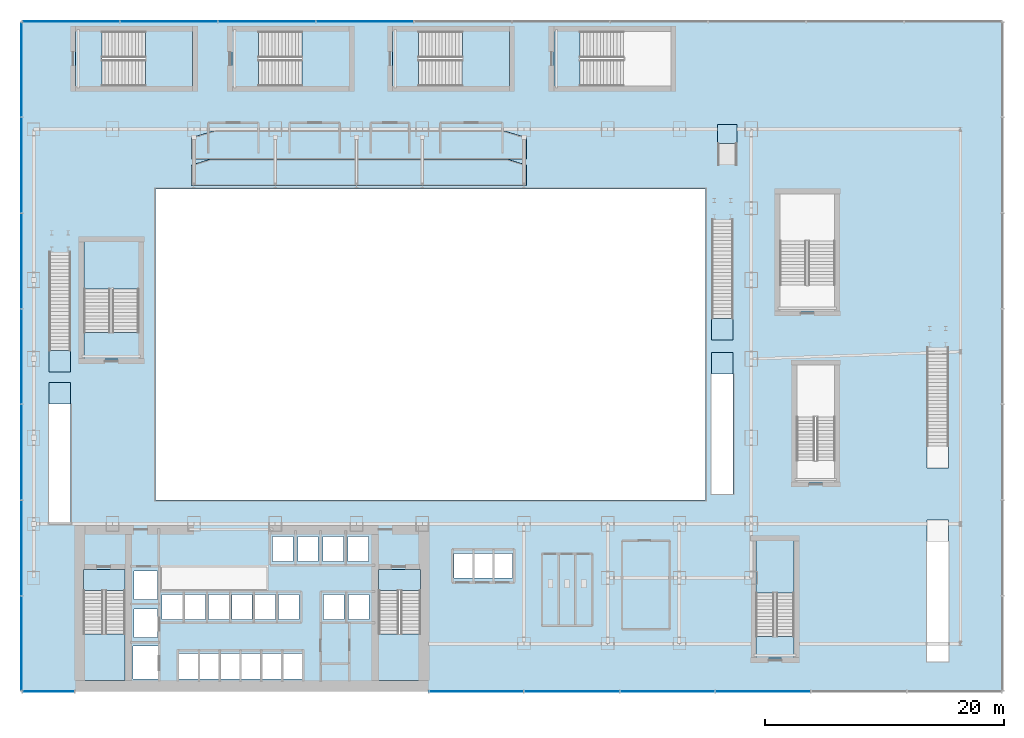
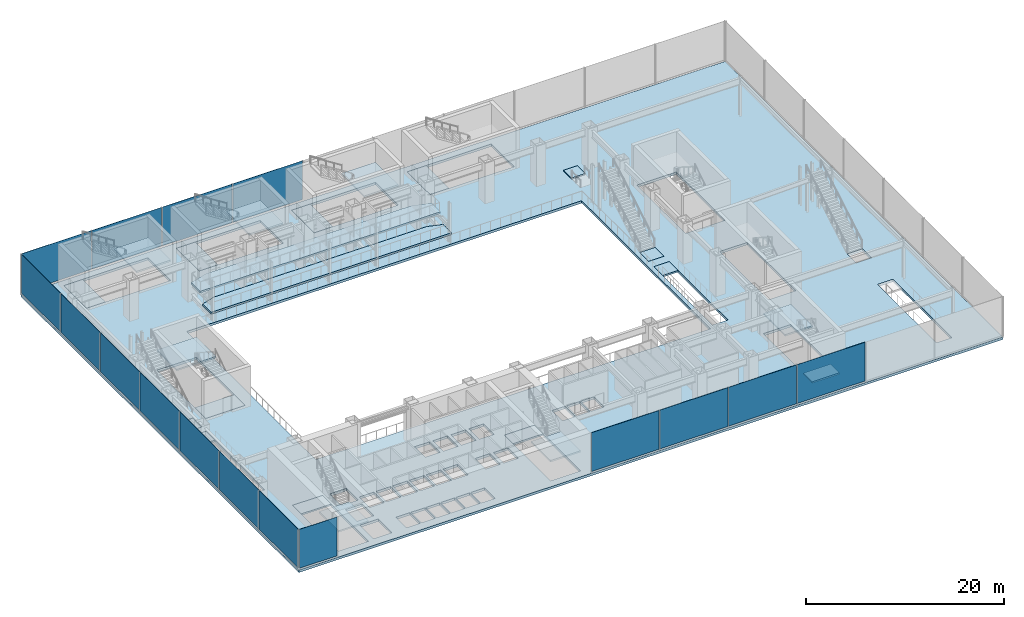
# One storey, part 27 of 40: 23 slabs, 16 plates, 14 elements without a shape of their own.
"""IFC4 building model written with IfcOpenShell, lengths in metres."""

from ifc_helpers import new_model, si_unit, derived_unit, direction, frame, origin, origin_2d, place, context, subcontext, project, spatial, polyline, rectangle, outline, extrude, source, transform, mapped, material, layer, layer_set, type_object, element, aggregate, save


model = new_model("IFC4")

# Units and contexts
model_context = context("Model", 3, precision=1e-05, world=origin(), true_north=direction((0.0, 1.0)))
body_context = subcontext(model_context, "Body", "Model", "MODEL_VIEW")
ifc_project = project(units=[si_unit("LENGTHUNIT", "METRE"), si_unit("AREAUNIT", "SQUARE_METRE"), si_unit("VOLUMEUNIT", "CUBIC_METRE"), si_unit("PLANEANGLEUNIT", "RADIAN"), si_unit("MASSUNIT", "GRAM", prefix="KILO"), derived_unit("THERMALTRANSMITTANCEUNIT", [(si_unit("POWERUNIT", "WATT"), 1), (si_unit("LENGTHUNIT", "METRE"), -2), (si_unit("THERMODYNAMICTEMPERATUREUNIT", "KELVIN"), -1)])], contexts=[model_context])

# Site, building, storey
site_placement = place(None, origin())
site = spatial("IfcSite", under=ifc_project, at=site_placement, CompositionType="ELEMENT")
building_placement = place(site_placement, origin())
building = spatial("IfcBuilding", under=site, at=building_placement, Name="Skarnbrae Concourse Arena and Tower", CompositionType="ELEMENT")
storey_placement = place(building_placement, frame((0.0, 0.0, 6.0)))
storey = spatial("IfcBuildingStorey", under=building, at=storey_placement, Name="L01", CompositionType="ELEMENT", Elevation=6.0)

# Stair, slab
ifc_material_1 = material(Name="Concrete 40 MPa (C40/50)", Category="concrete")
stair_type_1 = type_object("IfcStairType", Name="STAIR-DOGLEG-1650", PredefinedType="HALF_TURN_STAIR", material=ifc_material_1)
stair_1_placement = place(storey_placement, origin())
stair_1 = element("IfcStair", 1, at=stair_1_placement, inside=storey, type_object=stair_type_1, Name="L01 Protected Exit Stair ST-1", PredefinedType="HALF_TURN_STAIR")
ifc_layer_1 = layer(ifc_material_1, 0.199951171875)
ifc_layer_set_1 = layer_set([ifc_layer_1], Name="Concrete 40 MPa (C40/50)")
slab_type_1 = type_object("IfcSlabType", Name="SLAB-LANDING-200", PredefinedType="LANDING", material=ifc_layer_set_1)
slab_1_placement = place(storey_placement, frame((0.0, 0.0, 2.300048828125)))
slab_1 = element("IfcSlab", 2, at=slab_1_placement, type_object=slab_type_1, Name="ST-1 landing 1", PredefinedType="LANDING", context=body_context, shape_type="SweptSolid", body=[
    extrude(outline(polyline([(5.14990234375, 4.81005859375), (5.14990234375, 0.89990234375), (8.64990234375, 0.89990234375), (8.64990234375, 4.81005859375), (5.14990234375, 4.81005859375)])), origin(), (0.0, 0.0, 1.0), 0.199951171875),
])
aggregate(stair_1, [slab_1])

stair_2_placement = place(storey_placement, origin())
stair_2 = element("IfcStair", 3, at=stair_2_placement, inside=storey, type_object=stair_type_1, Name="L01 Protected Exit Stair ST-2", PredefinedType="HALF_TURN_STAIR")
slab_2_placement = place(storey_placement, frame((0.0, 0.0, 2.300048828125)))
slab_2 = element("IfcSlab", 4, at=slab_2_placement, type_object=slab_type_1, Name="ST-2 landing 1", PredefinedType="LANDING", context=body_context, shape_type="SweptSolid", body=[
    extrude(outline(polyline([(29.85009765625, 4.81005859375), (29.85009765625, 0.89990234375), (33.35009765625, 0.89990234375), (33.35009765625, 4.81005859375), (29.85009765625, 4.81005859375)])), origin(), (0.0, 0.0, 1.0), 0.199951171875),
])
aggregate(stair_2, [slab_2])

# Slabs
slab_3_placement = place(storey_placement, frame((0.0, 0.0, -0.199951171875)))
element("IfcSlab", 5, at=slab_3_placement, inside=storey, type_object=slab_type_1, Name="L01 Core stair ST1 floor landing", PredefinedType="LANDING", context=body_context, shape_type="SweptSolid", body=[
    extrude(outline(polyline([(5.14990234375, 10.199951171875), (5.14990234375, 8.449951171875), (8.64990234375, 8.449951171875), (8.64990234375, 10.199951171875), (5.14990234375, 10.199951171875)])), origin(), (0.0, 0.0, 1.0), 0.199951171875),
])
slab_4_placement = place(storey_placement, frame((0.0, 0.0, -0.199951171875)))
element("IfcSlab", 6, at=slab_4_placement, inside=storey, type_object=slab_type_1, Name="L01 Core stair ST2 floor landing", PredefinedType="LANDING", context=body_context, shape_type="SweptSolid", body=[
    extrude(outline(polyline([(29.85009765625, 10.199951171875), (29.85009765625, 8.449951171875), (33.35009765625, 8.449951171875), (33.35009765625, 10.199951171875), (29.85009765625, 10.199951171875)])), origin(), (0.0, 0.0, 1.0), 0.199951171875),
])
slab_5_placement = place(storey_placement, frame((0.0, 0.0, -0.199951171875)))
element("IfcSlab", 7, at=slab_5_placement, inside=storey, type_object=slab_type_1, Name="L01 Stair ST-A1 near floor landing", PredefinedType="LANDING", context=body_context, shape_type="SweptSolid", body=[
    extrude(outline(polyline([(64.60009765625, 2.800048828125), (64.60009765625, 4.60009765625), (61.39990234375, 4.60009765625), (61.39990234375, 2.800048828125), (64.60009765625, 2.800048828125)])), origin(), (0.0, 0.0, 1.0), 0.199951171875),
])

# Stair, slab
stair_type_2 = type_object("IfcStairType", Name="STAIR-DOGLEG-1500", PredefinedType="HALF_TURN_STAIR", material=ifc_material_1)
stair_3_placement = place(storey_placement, origin())
stair_3 = element("IfcStair", 8, at=stair_3_placement, inside=storey, type_object=stair_type_2, Name="L01 Arena Exit Stair ST-A1", PredefinedType="HALF_TURN_STAIR")
slab_6_placement = place(storey_placement, frame((0.0, 0.0, 2.300048828125)))
slab_6 = element("IfcSlab", 9, at=slab_6_placement, type_object=slab_type_1, Name="ST-A1 landing 1", PredefinedType="LANDING", context=body_context, shape_type="SweptSolid", body=[
    extrude(outline(polyline([(64.60009765625, 8.239990234375), (64.60009765625, 12.60009765625), (61.39990234375, 12.60009765625), (61.39990234375, 8.239990234375), (64.60009765625, 8.239990234375)])), origin(), (0.0, 0.0, 1.0), 0.199951171875),
])
aggregate(stair_3, [slab_6])

# Slab
slab_7_placement = place(storey_placement, frame((0.0, 0.0, -0.199951171875)))
element("IfcSlab", 10, at=slab_7_placement, inside=storey, type_object=slab_type_1, Name="L01 Stair ST-A3 near floor landing", PredefinedType="LANDING", context=body_context, shape_type="SweptSolid", body=[
    extrude(outline(polyline([(9.800048828125, 27.800048828125), (9.800048828125, 30.0), (5.199951171875, 30.0), (5.199951171875, 27.800048828125), (9.800048828125, 27.800048828125)])), origin(), (0.0, 0.0, 1.0), 0.199951171875),
])

# Stair, slab
stair_type_3 = type_object("IfcStairType", Name="STAIR-DOGLEG-2200", PredefinedType="HALF_TURN_STAIR", material=ifc_material_1)
stair_4_placement = place(storey_placement, origin())
stair_4 = element("IfcStair", 11, at=stair_4_placement, inside=storey, type_object=stair_type_3, Name="L01 Arena Exit Stair ST-A3", PredefinedType="HALF_TURN_STAIR")
slab_8_placement = place(storey_placement, frame((0.0, 0.0, 2.300048828125)))
slab_8 = element("IfcSlab", 12, at=slab_8_placement, type_object=slab_type_1, Name="ST-A3 landing 1", PredefinedType="LANDING", context=body_context, shape_type="SweptSolid", body=[
    extrude(outline(polyline([(9.800048828125, 33.639892578125), (9.800048828125, 37.60009765625), (5.199951171875, 37.60009765625), (5.199951171875, 33.639892578125), (9.800048828125, 33.639892578125)])), origin(), (0.0, 0.0, 1.0), 0.199951171875),
])
aggregate(stair_4, [slab_8])

# Slab
slab_9_placement = place(storey_placement, frame((0.0, 0.0, -0.199951171875)))
element("IfcSlab", 13, at=slab_9_placement, inside=storey, type_object=slab_type_1, Name="L01 Stair ST-A5 near floor landing", PredefinedType="LANDING", context=body_context, shape_type="SweptSolid", body=[
    extrude(outline(polyline([(4.5, 50.60009765625), (6.699951171875, 50.60009765625), (6.699951171875, 55.199951171875), (4.5, 55.199951171875), (4.5, 50.60009765625)])), origin(), (0.0, 0.0, 1.0), 0.199951171875),
])

# Stair, slab
stair_5_placement = place(storey_placement, origin())
stair_5 = element("IfcStair", 14, at=stair_5_placement, inside=storey, type_object=stair_type_3, Name="L01 Arena Exit Stair ST-A5", PredefinedType="HALF_TURN_STAIR")
slab_10_placement = place(storey_placement, frame((0.0, 0.0, 2.300048828125)))
slab_10 = element("IfcSlab", 15, at=slab_10_placement, type_object=slab_type_1, Name="ST-A5 landing 1", PredefinedType="LANDING", context=body_context, shape_type="SweptSolid", body=[
    extrude(outline(polyline([(10.340087890625, 50.60009765625), (14.300048828125, 50.60009765625), (14.300048828125, 55.199951171875), (10.340087890625, 55.199951171875), (10.340087890625, 50.60009765625)])), origin(), (0.0, 0.0, 1.0), 0.199951171875),
])
aggregate(stair_5, [slab_10])

# Slab
slab_11_placement = place(storey_placement, frame((0.0, 0.0, -0.199951171875)))
element("IfcSlab", 16, at=slab_11_placement, inside=storey, type_object=slab_type_1, Name="L01 Stair ST-A6 near floor landing", PredefinedType="LANDING", context=body_context, shape_type="SweptSolid", body=[
    extrude(outline(polyline([(17.60009765625, 50.60009765625), (19.800048828125, 50.60009765625), (19.800048828125, 55.199951171875), (17.60009765625, 55.199951171875), (17.60009765625, 50.60009765625)])), origin(), (0.0, 0.0, 1.0), 0.199951171875),
])

# Stair, slab
stair_6_placement = place(storey_placement, origin())
stair_6 = element("IfcStair", 17, at=stair_6_placement, inside=storey, type_object=stair_type_3, Name="L01 Arena Exit Stair ST-A6", PredefinedType="HALF_TURN_STAIR")
slab_12_placement = place(storey_placement, frame((0.0, 0.0, 2.300048828125)))
slab_12 = element("IfcSlab", 18, at=slab_12_placement, type_object=slab_type_1, Name="ST-A6 landing 1", PredefinedType="LANDING", context=body_context, shape_type="SweptSolid", body=[
    extrude(outline(polyline([(23.43994140625, 50.60009765625), (27.39990234375, 50.60009765625), (27.39990234375, 55.199951171875), (23.43994140625, 55.199951171875), (23.43994140625, 50.60009765625)])), origin(), (0.0, 0.0, 1.0), 0.199951171875),
])
aggregate(stair_6, [slab_12])

# Slab
slab_13_placement = place(storey_placement, frame((0.0, 0.0, -0.199951171875)))
element("IfcSlab", 19, at=slab_13_placement, inside=storey, type_object=slab_type_1, Name="L01 Stair ST-A7 near floor landing", PredefinedType="LANDING", context=body_context, shape_type="SweptSolid", body=[
    extrude(outline(polyline([(31.0, 50.60009765625), (33.199951171875, 50.60009765625), (33.199951171875, 55.199951171875), (31.0, 55.199951171875), (31.0, 50.60009765625)])), origin(), (0.0, 0.0, 1.0), 0.199951171875),
])

# Stair, slab
stair_7_placement = place(storey_placement, origin())
stair_7 = element("IfcStair", 20, at=stair_7_placement, inside=storey, type_object=stair_type_3, Name="L01 Arena Exit Stair ST-A7", PredefinedType="HALF_TURN_STAIR")
slab_14_placement = place(storey_placement, frame((0.0, 0.0, 2.300048828125)))
slab_14 = element("IfcSlab", 21, at=slab_14_placement, type_object=slab_type_1, Name="ST-A7 landing 1", PredefinedType="LANDING", context=body_context, shape_type="SweptSolid", body=[
    extrude(outline(polyline([(36.840087890625, 50.60009765625), (40.800048828125, 50.60009765625), (40.800048828125, 55.199951171875), (36.840087890625, 55.199951171875), (36.840087890625, 50.60009765625)])), origin(), (0.0, 0.0, 1.0), 0.199951171875),
])
aggregate(stair_7, [slab_14])

# Slabs
slab_15_placement = place(storey_placement, frame((0.0, 0.0, -0.199951171875)))
element("IfcSlab", 22, at=slab_15_placement, inside=storey, type_object=slab_type_1, Name="L01 Stair ST-A8 near floor landing", PredefinedType="LANDING", context=body_context, shape_type="SweptSolid", body=[
    extrude(outline(polyline([(44.5, 50.60009765625), (46.699951171875, 50.60009765625), (46.699951171875, 55.199951171875), (44.5, 55.199951171875), (44.5, 50.60009765625)])), origin(), (0.0, 0.0, 1.0), 0.199951171875),
])
slab_16_placement = place(storey_placement, frame((0.0, 0.0, -0.199951171875)))
element("IfcSlab", 23, at=slab_16_placement, inside=storey, type_object=slab_type_1, Name="ST-CONC-2 L01 arrival landing", PredefinedType="LANDING", context=body_context, shape_type="SweptSolid", body=[
    extrude(outline(polyline([(2.300048828125, 24.030029296875), (4.10009765625, 24.030029296875), (4.10009765625, 25.830078125), (2.300048828125, 25.830078125), (2.300048828125, 24.030029296875)])), origin(), (0.0, 0.0, 1.0), 0.199951171875),
])

# Stair, slab
stair_type_4 = type_object("IfcStairType", Name="STAIR-STRAIGHT-1800", PredefinedType="STRAIGHT_RUN_STAIR", material=ifc_material_1)
stair_8_placement = place(storey_placement, origin())
stair_8 = element("IfcStair", 24, at=stair_8_placement, inside=storey, type_object=stair_type_4, Name="L01 Transit Concourse Straight Stair ST-CONC-2", PredefinedType="STRAIGHT_RUN_STAIR")
slab_17_placement = place(storey_placement, frame((0.0, 0.0, -0.199951171875)))
slab_17 = element("IfcSlab", 25, at=slab_17_placement, type_object=slab_type_1, Name="ST-CONC-2 L01 bottom landing", PredefinedType="LANDING", context=body_context, shape_type="SweptSolid", body=[
    extrude(outline(polyline([(2.300048828125, 26.699951171875), (4.10009765625, 26.699951171875), (4.10009765625, 28.5), (2.300048828125, 28.5), (2.300048828125, 26.699951171875)])), origin(), (0.0, 0.0, 1.0), 0.199951171875),
])
aggregate(stair_8, [slab_17])

# Slab
slab_18_placement = place(storey_placement, frame((0.0, 0.0, -0.199951171875)))
element("IfcSlab", 26, at=slab_18_placement, inside=storey, type_object=slab_type_1, Name="ST-CONC-3 L01 arrival landing", PredefinedType="LANDING", context=body_context, shape_type="SweptSolid", body=[
    extrude(outline(polyline([(57.699951171875, 26.530029296875), (59.5, 26.530029296875), (59.5, 28.330078125), (57.699951171875, 28.330078125), (57.699951171875, 26.530029296875)])), origin(), (0.0, 0.0, 1.0), 0.199951171875),
])

# Stair, slab
stair_9_placement = place(storey_placement, origin())
stair_9 = element("IfcStair", 27, at=stair_9_placement, inside=storey, type_object=stair_type_4, Name="L01 Transit Concourse Straight Stair ST-CONC-3", PredefinedType="STRAIGHT_RUN_STAIR")
slab_19_placement = place(storey_placement, frame((0.0, 0.0, -0.199951171875)))
slab_19 = element("IfcSlab", 28, at=slab_19_placement, type_object=slab_type_1, Name="ST-CONC-3 L01 bottom landing", PredefinedType="LANDING", context=body_context, shape_type="SweptSolid", body=[
    extrude(outline(polyline([(57.699951171875, 29.39990234375), (59.5, 29.39990234375), (59.5, 31.199951171875), (57.699951171875, 31.199951171875), (57.699951171875, 29.39990234375)])), origin(), (0.0, 0.0, 1.0), 0.199951171875),
])
aggregate(stair_9, [slab_19])

# Ramp, slab
ramp_type = type_object("IfcRampType", Name="RAMP-ACC-1600", PredefinedType="STRAIGHT_RUN_RAMP", material=ifc_material_1)
ramp_placement = place(storey_placement, origin())
ramp = element("IfcRamp", 29, at=ramp_placement, inside=storey, type_object=ramp_type, Name="L01 Barrier-free accessible ramp R-A02", PredefinedType="STRAIGHT_RUN_RAMP")
slab_20_placement = place(storey_placement, origin())
slab_20 = element("IfcSlab", 30, at=slab_20_placement, type_object=slab_type_1, Name="L01 Accessible ramp top landing", PredefinedType="LANDING", context=body_context, shape_type="SweptSolid", body=[
    extrude(outline(polyline([(58.199951171875, 45.800048828125), (59.800048828125, 45.800048828125), (59.800048828125, 47.39990234375), (58.199951171875, 47.39990234375), (58.199951171875, 45.800048828125)])), origin(), (0.0, 0.0, 1.0), 0.139892578125),
])
aggregate(ramp, [slab_20])

# Slabs
ifc_layer_2 = layer(ifc_material_1, 0.300048828125)
ifc_layer_set_2 = layer_set([ifc_layer_2], Name="Concrete 40 MPa (C40/50)")
slab_type_2 = type_object("IfcSlabType", Name="SLAB-PODIUM-300", PredefinedType="FLOOR", material=ifc_layer_set_2)
slab_21_placement = place(storey_placement, frame((0.0, 0.0, -0.300048828125)))
element("IfcSlab", 31, at=slab_21_placement, inside=storey, type_object=slab_type_2, Name="L01 Structural floor slab", PredefinedType="FLOOR", context=body_context, shape_type="SweptSolid", body=[
    extrude(outline(polyline([(0.0, 0.0), (82.0, 0.0), (82.0, 56.0), (0.0, 56.0), (0.0, 0.0)]), holes=[polyline([(14.7548828125, 3.155029296875), (14.7548828125, 1.044921875), (13.14501953125, 1.044921875), (13.14501953125, 3.155029296875), (14.7548828125, 3.155029296875)]), polyline([(16.4951171875, 3.155029296875), (16.4951171875, 1.044921875), (14.885009765625, 1.044921875), (14.885009765625, 3.155029296875), (16.4951171875, 3.155029296875)]), polyline([(18.235107421875, 3.155029296875), (18.235107421875, 1.044921875), (16.625, 1.044921875), (16.625, 3.155029296875), (18.235107421875, 3.155029296875)]), polyline([(11.455078125, 1.02001953125), (9.294921875, 1.02001953125), (9.294921875, 3.780029296875), (11.455078125, 3.780029296875), (11.455078125, 1.02001953125)]), polyline([(5.14990234375, 0.89990234375), (5.14990234375, 10.199951171875), (8.64990234375, 10.199951171875), (8.64990234375, 0.89990234375), (5.14990234375, 0.89990234375)]), polyline([(11.35498046875, 6.8798828125), (11.35498046875, 4.52001953125), (9.39501953125, 4.52001953125), (9.39501953125, 6.8798828125), (11.35498046875, 6.8798828125)]), polyline([(13.429931640625, 8.10498046875), (13.429931640625, 5.9951171875), (11.719970703125, 5.9951171875), (11.719970703125, 8.10498046875), (13.429931640625, 8.10498046875)]), polyline([(15.3798828125, 8.10498046875), (15.3798828125, 5.9951171875), (13.669921875, 5.9951171875), (13.669921875, 8.10498046875), (15.3798828125, 8.10498046875)]), polyline([(17.330078125, 5.9951171875), (15.6201171875, 5.9951171875), (15.6201171875, 8.10498046875), (17.330078125, 8.10498046875), (17.330078125, 5.9951171875)]), polyline([(11.35498046875, 7.695068359375), (9.39501953125, 7.695068359375), (9.39501953125, 10.054931640625), (11.35498046875, 10.054931640625), (11.35498046875, 7.695068359375)]), polyline([(4.10009765625, 25.830078125), (4.10009765625, 13.97998046875), (2.300048828125, 13.97998046875), (2.300048828125, 25.830078125), (4.10009765625, 25.830078125)]), polyline([(4.10009765625, 28.52001953125), (4.10009765625, 26.699951171875), (2.300048828125, 26.699951171875), (2.300048828125, 28.52001953125), (4.10009765625, 28.52001953125)]), polyline([(5.199951171875, 37.60009765625), (9.800048828125, 37.60009765625), (9.800048828125, 27.800048828125), (5.199951171875, 27.800048828125), (5.199951171875, 37.60009765625)]), polyline([(14.300048828125, 50.60009765625), (4.5, 50.60009765625), (4.5, 55.199951171875), (14.300048828125, 55.199951171875), (14.300048828125, 50.60009765625)]), polyline([(19.97509765625, 1.044921875), (18.364990234375, 1.044921875), (18.364990234375, 3.155029296875), (19.97509765625, 3.155029296875), (19.97509765625, 1.044921875)]), polyline([(21.715087890625, 3.155029296875), (21.715087890625, 1.044921875), (20.10498046875, 1.044921875), (20.10498046875, 3.155029296875), (21.715087890625, 3.155029296875)]), polyline([(23.455078125, 3.155029296875), (23.455078125, 1.044921875), (21.844970703125, 1.044921875), (21.844970703125, 3.155029296875), (23.455078125, 3.155029296875)]), polyline([(33.35009765625, 0.89990234375), (29.85009765625, 0.89990234375), (29.85009765625, 10.199951171875), (33.35009765625, 10.199951171875), (33.35009765625, 0.89990234375)]), polyline([(19.280029296875, 5.9951171875), (17.570068359375, 5.9951171875), (17.570068359375, 8.10498046875), (19.280029296875, 8.10498046875), (19.280029296875, 5.9951171875)]), polyline([(21.22998046875, 5.9951171875), (19.52001953125, 5.9951171875), (19.52001953125, 8.10498046875), (21.22998046875, 8.10498046875), (21.22998046875, 5.9951171875)]), polyline([(23.179931640625, 8.10498046875), (23.179931640625, 5.9951171875), (21.469970703125, 5.9951171875), (21.469970703125, 8.10498046875), (23.179931640625, 8.10498046875)]), polyline([(26.945068359375, 8.10498046875), (26.945068359375, 5.9951171875), (25.235107421875, 5.9951171875), (25.235107421875, 8.10498046875), (26.945068359375, 8.10498046875)]), polyline([(29.044921875, 8.10498046875), (29.044921875, 5.9951171875), (27.3349609375, 5.9951171875), (27.3349609375, 8.10498046875), (29.044921875, 8.10498046875)]), polyline([(22.695068359375, 10.844970703125), (20.985107421875, 10.844970703125), (20.985107421875, 12.955078125), (22.695068359375, 12.955078125), (22.695068359375, 10.844970703125)]), polyline([(24.794921875, 10.844970703125), (23.0849609375, 10.844970703125), (23.0849609375, 12.955078125), (24.794921875, 12.955078125), (24.794921875, 10.844970703125)]), polyline([(26.89501953125, 12.955078125), (26.89501953125, 10.844970703125), (25.18505859375, 10.844970703125), (25.18505859375, 12.955078125), (26.89501953125, 12.955078125)]), polyline([(28.9951171875, 12.955078125), (28.9951171875, 10.844970703125), (27.284912109375, 10.844970703125), (27.284912109375, 12.955078125), (28.9951171875, 12.955078125)]), polyline([(27.39990234375, 55.199951171875), (27.39990234375, 50.60009765625), (17.60009765625, 50.60009765625), (17.60009765625, 55.199951171875), (27.39990234375, 55.199951171875)]), polyline([(64.60009765625, 12.60009765625), (64.60009765625, 2.800048828125), (61.39990234375, 2.800048828125), (61.39990234375, 12.60009765625), (64.60009765625, 12.60009765625)]), polyline([(77.5, 2.47998046875), (75.699951171875, 2.47998046875), (75.699951171875, 14.330078125), (77.5, 14.330078125), (77.5, 2.47998046875)]), polyline([(37.679931640625, 11.530029296875), (37.679931640625, 9.469970703125), (36.159912109375, 9.469970703125), (36.159912109375, 11.530029296875), (37.679931640625, 11.530029296875)]), polyline([(39.360107421875, 11.530029296875), (39.360107421875, 9.469970703125), (37.840087890625, 9.469970703125), (37.840087890625, 11.530029296875), (39.360107421875, 11.530029296875)]), polyline([(41.0400390625, 11.530029296875), (41.0400390625, 9.469970703125), (39.52001953125, 9.469970703125), (39.52001953125, 11.530029296875), (41.0400390625, 11.530029296875)]), polyline([(77.5, 18.699951171875), (75.699951171875, 18.699951171875), (75.699951171875, 20.52001953125), (77.5, 20.52001953125), (77.5, 18.699951171875)]), polyline([(68.0, 27.300048828125), (68.0, 17.5), (64.800048828125, 17.5), (64.800048828125, 27.300048828125), (68.0, 27.300048828125)]), polyline([(59.5, 28.330078125), (59.5, 16.47998046875), (57.699951171875, 16.47998046875), (57.699951171875, 28.330078125), (59.5, 28.330078125)]), polyline([(57.199951171875, 16.0), (11.199951171875, 16.0), (11.199951171875, 42.0), (57.199951171875, 42.0), (57.199951171875, 16.0)]), polyline([(59.5, 29.39990234375), (57.699951171875, 29.39990234375), (57.699951171875, 31.219970703125), (59.5, 31.219970703125), (59.5, 29.39990234375)]), polyline([(63.39990234375, 41.60009765625), (68.0, 41.60009765625), (68.0, 31.800048828125), (63.39990234375, 31.800048828125), (63.39990234375, 41.60009765625)]), polyline([(40.800048828125, 50.60009765625), (31.0, 50.60009765625), (31.0, 55.199951171875), (40.800048828125, 55.199951171875), (40.800048828125, 50.60009765625)]), polyline([(54.300048828125, 50.60009765625), (44.5, 50.60009765625), (44.5, 55.199951171875), (54.300048828125, 55.199951171875), (54.300048828125, 50.60009765625)])]), origin(), (0.0, 0.0, 1.0), 0.300048828125),
])
ifc_layer_3 = layer(ifc_material_1, 0.219970703125)
ifc_layer_set_3 = layer_set([ifc_layer_3], Name="Concrete 40 MPa (C40/50)")
slab_type_3 = type_object("IfcSlabType", Name="SLAB-SEATING-TIER-220", PredefinedType="USERDEFINED", material=ifc_layer_set_3)
slab_22_placement = place(storey_placement, frame((0.0, 0.0, 0.89990234375)))
element("IfcSlab", 32, at=slab_22_placement, inside=storey, type_object=slab_type_3, Name="L01 Arena seating tier lower terrace", ObjectType="SEATING TIER", PredefinedType="USERDEFINED", context=body_context, shape_type="SweptSolid", body=[
    extrude(outline(polyline([(14.199951171875, 42.300048828125), (42.199951171875, 42.300048828125), (42.199951171875, 44.0), (40.60009765625, 44.5), (15.800048828125, 44.5), (14.199951171875, 44.0), (14.199951171875, 42.300048828125)])), origin(), (0.0, 0.0, 1.0), 0.22021484375),
])
slab_23_placement = place(storey_placement, frame((0.0, 0.0, 2.14990234375)))
element("IfcSlab", 33, at=slab_23_placement, inside=storey, type_object=slab_type_3, Name="L01 Arena seating tier upper terrace", ObjectType="SEATING TIER", PredefinedType="USERDEFINED", context=body_context, shape_type="SweptSolid", body=[
    extrude(outline(polyline([(14.199951171875, 44.5), (42.199951171875, 44.5), (42.199951171875, 46.300048828125), (40.199951171875, 46.89990234375), (16.199951171875, 46.89990234375), (14.199951171875, 46.300048828125), (14.199951171875, 44.5)])), origin(), (0.0, 0.0, 1.0), 0.22021484375),
])

# Curtain wall, plate
ifc_material_2 = material(Name="Bronze anodised aluminium 6063-T6", Category="aluminium")
curtain_wall_type = type_object("IfcCurtainWallType", Name="CW-SYS-01-PODIUM", PredefinedType="USERDEFINED", material=ifc_material_2)
curtain_wall_1_placement = place(storey_placement, origin())
curtain_wall_1 = element("IfcCurtainWall", 34, at=curtain_wall_1_placement, inside=storey, type_object=curtain_wall_type, Name="L01 Unitised curtain wall CW-L01-SE", ObjectType="UNITISED CURTAIN WALL", PredefinedType="USERDEFINED")
ifc_material_3 = material(Name="Low-E triple insulating glass", Category="glass")
ifc_layer_4 = layer(ifc_material_3, 0.035888671875)
ifc_layer_set_4 = layer_set([ifc_layer_4], Name="Low-E triple insulating glass")
plate_type = type_object("IfcPlateType", Name="CWP-CW-01", PredefinedType="CURTAIN_PANEL", material=ifc_layer_set_4)
shared_shape_1 = source(origin(), body_context, "Body", "SweptSolid", [
    extrude(rectangle(XDim=7.87255859375, YDim=0.035888671875, at=origin_2d()), origin(), (0.0, 0.0, 1.0), 4.780029296875),
])
plate_1_placement = place(storey_placement, frame((38.021240234375, 0.0, 0.22021484375), z_axis=(0.0, 0.0, 1.0), x_axis=(1.0, 0.0, 0.0)))
plate_1 = element("IfcPlate", 35, at=plate_1_placement, type_object=plate_type, Name="CW-L01-SE Low-E Glazing Panel 1", PredefinedType="CURTAIN_PANEL", context=body_context, shape_type="MappedRepresentation", body=[
    mapped(shared_shape_1, transform((0.0, 0.0, 0.0))),
])

# Curtain wall, plates
curtain_wall_2_placement = place(storey_placement, origin())
curtain_wall_2 = element("IfcCurtainWall", 36, at=curtain_wall_2_placement, inside=storey, type_object=curtain_wall_type, Name="L01 Unitised curtain wall CW-L01-W", ObjectType="UNITISED CURTAIN WALL", PredefinedType="USERDEFINED")
plate_2_placement = place(storey_placement, frame((0.0, 51.978759765625, 0.22021484375), z_axis=(0.0, 0.0, 1.0), x_axis=(0.0, -1.0, 0.0)))
plate_2 = element("IfcPlate", 37, at=plate_2_placement, type_object=plate_type, Name="CW-L01-W Low-E Glazing Panel 1", PredefinedType="CURTAIN_PANEL", context=body_context, shape_type="MappedRepresentation", body=[
    mapped(shared_shape_1, transform((0.0, 0.0, 0.0))),
])
plate_3_placement = place(storey_placement, frame((0.0, 4.021240234375, 0.22021484375), z_axis=(0.0, 0.0, 1.0), x_axis=(0.0, -1.0, 0.0)))
plate_3 = element("IfcPlate", 38, at=plate_3_placement, type_object=plate_type, Name="CW-L01-W Low-E Glazing Panel 7", PredefinedType="CURTAIN_PANEL", context=body_context, shape_type="MappedRepresentation", body=[
    mapped(shared_shape_1, transform((0.0, 0.0, 0.0))),
])

# Plate
shared_shape_2 = source(origin(), body_context, "Body", "SweptSolid", [
    extrude(rectangle(XDim=7.9150390625, YDim=0.035888671875, at=origin_2d()), origin(), (0.0, 0.0, 1.0), 4.780029296875),
])
plate_4_placement = place(storey_placement, frame((46.0, 0.0, 0.22021484375), z_axis=(0.0, 0.0, 1.0), x_axis=(1.0, 0.0, 0.0)))
plate_4 = element("IfcPlate", 39, at=plate_4_placement, type_object=plate_type, Name="CW-L01-SE Low-E Glazing Panel 2", PredefinedType="CURTAIN_PANEL", context=body_context, shape_type="MappedRepresentation", body=[
    mapped(shared_shape_2, transform((0.0, 0.0, 0.0))),
])

plate_5_placement = place(storey_placement, frame((54.0, 0.0, 0.22021484375), z_axis=(0.0, 0.0, 1.0), x_axis=(1.0, 0.0, 0.0)))
plate_5 = element("IfcPlate", 40, at=plate_5_placement, type_object=plate_type, Name="CW-L01-SE Low-E Glazing Panel 3", PredefinedType="CURTAIN_PANEL", context=body_context, shape_type="MappedRepresentation", body=[
    mapped(shared_shape_2, transform((0.0, 0.0, 0.0))),
])

plate_6_placement = place(storey_placement, frame((62.0, 0.0, 0.22021484375), z_axis=(0.0, 0.0, 1.0), x_axis=(1.0, 0.0, 0.0)))
plate_6 = element("IfcPlate", 41, at=plate_6_placement, type_object=plate_type, Name="CW-L01-SE Low-E Glazing Panel 4", PredefinedType="CURTAIN_PANEL", context=body_context, shape_type="MappedRepresentation", body=[
    mapped(shared_shape_2, transform((0.0, 0.0, 0.0))),
])

aggregate(curtain_wall_1, [plate_1, plate_4, plate_5, plate_6])

plate_7_placement = place(storey_placement, frame((0.0, 44.0, 0.22021484375), z_axis=(0.0, 0.0, 1.0), x_axis=(0.0, -1.0, 0.0)))
plate_7 = element("IfcPlate", 42, at=plate_7_placement, type_object=plate_type, Name="CW-L01-W Low-E Glazing Panel 2", PredefinedType="CURTAIN_PANEL", context=body_context, shape_type="MappedRepresentation", body=[
    mapped(shared_shape_2, transform((0.0, 0.0, 0.0))),
])

plate_8_placement = place(storey_placement, frame((0.0, 36.0, 0.22021484375), z_axis=(0.0, 0.0, 1.0), x_axis=(0.0, -1.0, 0.0)))
plate_8 = element("IfcPlate", 43, at=plate_8_placement, type_object=plate_type, Name="CW-L01-W Low-E Glazing Panel 3", PredefinedType="CURTAIN_PANEL", context=body_context, shape_type="MappedRepresentation", body=[
    mapped(shared_shape_2, transform((0.0, 0.0, 0.0))),
])

plate_9_placement = place(storey_placement, frame((0.0, 28.0, 0.22021484375), z_axis=(0.0, 0.0, 1.0), x_axis=(0.0, -1.0, 0.0)))
plate_9 = element("IfcPlate", 44, at=plate_9_placement, type_object=plate_type, Name="CW-L01-W Low-E Glazing Panel 4", PredefinedType="CURTAIN_PANEL", context=body_context, shape_type="MappedRepresentation", body=[
    mapped(shared_shape_2, transform((0.0, 0.0, 0.0))),
])

plate_10_placement = place(storey_placement, frame((0.0, 20.0, 0.22021484375), z_axis=(0.0, 0.0, 1.0), x_axis=(0.0, -1.0, 0.0)))
plate_10 = element("IfcPlate", 45, at=plate_10_placement, type_object=plate_type, Name="CW-L01-W Low-E Glazing Panel 5", PredefinedType="CURTAIN_PANEL", context=body_context, shape_type="MappedRepresentation", body=[
    mapped(shared_shape_2, transform((0.0, 0.0, 0.0))),
])

plate_11_placement = place(storey_placement, frame((0.0, 12.0, 0.22021484375), z_axis=(0.0, 0.0, 1.0), x_axis=(0.0, -1.0, 0.0)))
plate_11 = element("IfcPlate", 46, at=plate_11_placement, type_object=plate_type, Name="CW-L01-W Low-E Glazing Panel 6", PredefinedType="CURTAIN_PANEL", context=body_context, shape_type="MappedRepresentation", body=[
    mapped(shared_shape_2, transform((0.0, 0.0, 0.0))),
])

aggregate(curtain_wall_2, [plate_2, plate_7, plate_8, plate_9, plate_10, plate_11, plate_3])

# Curtain wall, plate
curtain_wall_3_placement = place(storey_placement, origin())
curtain_wall_3 = element("IfcCurtainWall", 47, at=curtain_wall_3_placement, inside=storey, type_object=curtain_wall_type, Name="L01 Unitised curtain wall CW-L01-SW", ObjectType="UNITISED CURTAIN WALL", PredefinedType="USERDEFINED")
shared_shape_3 = source(origin(), body_context, "Body", "SweptSolid", [
    extrude(rectangle(XDim=4.330078125, YDim=0.035888671875, at=origin_2d()), origin(), (0.0, 0.0, 1.0), 4.780029296875),
])
plate_12_placement = place(storey_placement, frame((2.25, 0.0, 0.22021484375), z_axis=(0.0, 0.0, 1.0), x_axis=(1.0, 0.0, 0.0)))
plate_12 = element("IfcPlate", 48, at=plate_12_placement, type_object=plate_type, Name="CW-L01-SW Low-E Glazing Panel 1", PredefinedType="CURTAIN_PANEL", context=body_context, shape_type="MappedRepresentation", body=[
    mapped(shared_shape_3, transform((0.0, 0.0, 0.0))),
])
aggregate(curtain_wall_3, [plate_12])

# Curtain wall, plates
curtain_wall_4_placement = place(storey_placement, origin())
curtain_wall_4 = element("IfcCurtainWall", 49, at=curtain_wall_4_placement, inside=storey, type_object=curtain_wall_type, Name="L01 Unitised curtain wall CW-L01-N", ObjectType="UNITISED CURTAIN WALL", PredefinedType="USERDEFINED")
shared_shape_4 = source(origin(), body_context, "Body", "SweptSolid", [
    extrude(rectangle(XDim=8.072509765625, YDim=0.035888671875, at=origin_2d()), origin(), (0.0, 0.0, 1.0), 4.780029296875),
])
plate_13_placement = place(storey_placement, frame((4.121337890625, 56.0, 0.22021484375), z_axis=(0.0, 0.0, 1.0), x_axis=(-1.0, 0.0, 0.0)))
plate_13 = element("IfcPlate", 50, at=plate_13_placement, type_object=plate_type, Name="CW-L01-N Low-E Glazing Panel 10", PredefinedType="CURTAIN_PANEL", context=body_context, shape_type="MappedRepresentation", body=[
    mapped(shared_shape_4, transform((0.0, 0.0, 0.0))),
])
shared_shape_5 = source(origin(), body_context, "Body", "SweptSolid", [
    extrude(rectangle(XDim=8.114990234375, YDim=0.035888671875, at=origin_2d()), origin(), (0.0, 0.0, 1.0), 4.780029296875),
])
plate_14_placement = place(storey_placement, frame((28.699951171875, 56.0, 0.22021484375), z_axis=(0.0, 0.0, 1.0), x_axis=(-1.0, 0.0, 0.0)))
plate_14 = element("IfcPlate", 51, at=plate_14_placement, type_object=plate_type, Name="CW-L01-N Low-E Glazing Panel 7", PredefinedType="CURTAIN_PANEL", context=body_context, shape_type="MappedRepresentation", body=[
    mapped(shared_shape_5, transform((0.0, 0.0, 0.0))),
])
plate_15_placement = place(storey_placement, frame((20.5, 56.0, 0.22021484375), z_axis=(0.0, 0.0, 1.0), x_axis=(-1.0, 0.0, 0.0)))
plate_15 = element("IfcPlate", 52, at=plate_15_placement, type_object=plate_type, Name="CW-L01-N Low-E Glazing Panel 8", PredefinedType="CURTAIN_PANEL", context=body_context, shape_type="MappedRepresentation", body=[
    mapped(shared_shape_5, transform((0.0, 0.0, 0.0))),
])
plate_16_placement = place(storey_placement, frame((12.300048828125, 56.0, 0.22021484375), z_axis=(0.0, 0.0, 1.0), x_axis=(-1.0, 0.0, 0.0)))
plate_16 = element("IfcPlate", 53, at=plate_16_placement, type_object=plate_type, Name="CW-L01-N Low-E Glazing Panel 9", PredefinedType="CURTAIN_PANEL", context=body_context, shape_type="MappedRepresentation", body=[
    mapped(shared_shape_5, transform((0.0, 0.0, 0.0))),
])
aggregate(curtain_wall_4, [plate_14, plate_15, plate_16, plate_13])

save(model, "model.ifc")
